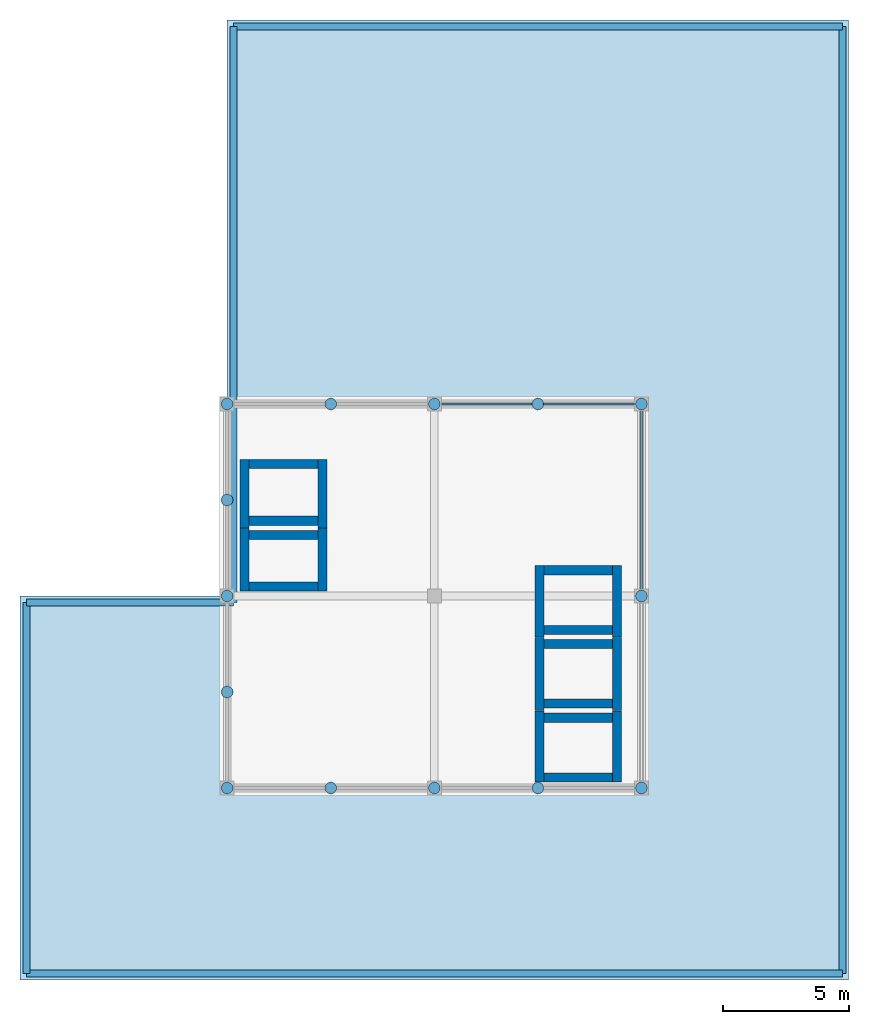
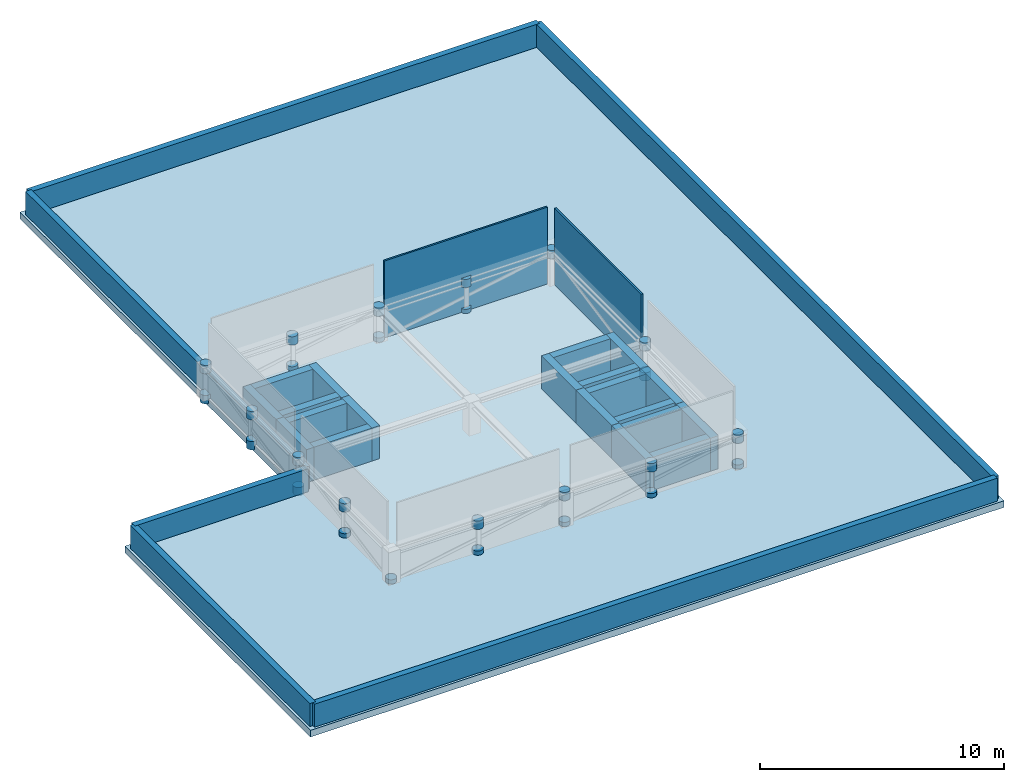
# One storey, part 2 of 2: 28 plates, 26 walls, 1 slab.
"""IFC4 building model written with IfcOpenShell, lengths in metres."""

from ifc_helpers import new_model, si_unit, direction, frame, frame_2d, origin, origin_2d, place, context, subcontext, project, spatial, polyline, rectangle, circle, outline, extrude, material, layer, layer_set, type_object, element, save


model = new_model("IFC4")

# Units and contexts
model_context = context("Model", 3, precision=1e-05, world=origin(), true_north=direction((0.0, 1.0)))
body_context = subcontext(model_context, "Body", "Model", "MODEL_VIEW")
ifc_project = project(units=[si_unit("LENGTHUNIT", "METRE"), si_unit("AREAUNIT", "SQUARE_METRE"), si_unit("VOLUMEUNIT", "CUBIC_METRE"), si_unit("PLANEANGLEUNIT", "RADIAN"), si_unit("MASSUNIT", "GRAM", prefix="KILO")], contexts=[model_context])

# Site, building, storey
site_placement = place(None, origin())
site = spatial("IfcSite", under=ifc_project, at=site_placement, CompositionType="ELEMENT")
building_placement = place(site_placement, origin())
building = spatial("IfcBuilding", under=site, at=building_placement, Name="Qandaris Square Conservatory and Botanical Centre", CompositionType="ELEMENT")
storey_placement = place(building_placement, frame((0.0, 0.0, 74.199951171875)))
storey = spatial("IfcBuildingStorey", under=building, at=storey_placement, Name="RF", CompositionType="ELEMENT", Elevation=74.199951171875)

# Plates
ifc_material_1 = material(Name="Anodised Aluminium", Category="aluminium")
ifc_layer_1 = layer(ifc_material_1, 0.080078125)
ifc_layer_set_1 = layer_set([ifc_layer_1], Name="Anodised Aluminium")
plate_type_1 = type_object("IfcPlateType", Name="Acoustic Plant Louvre Screen Panel", PredefinedType="USERDEFINED", material=ifc_layer_set_1)
plate_1_placement = place(storey_placement, frame((151.5, 39.39990234375, 0.0), z_axis=(0.0, 0.0, 1.0), x_axis=(1.0, 0.0, 0.0)))
element("IfcPlate", 1, at=plate_1_placement, inside=storey, type_object=plate_type_1, Name="Crown Louvre Enclosure CRN-LVR-N2", ObjectType="PLANT LOUVRE", PredefinedType="USERDEFINED", context=body_context, shape_type="SweptSolid", body=[
    extrude(rectangle(XDim=7.699951171875, YDim=0.080078125, at=origin_2d()), origin(), (0.0, 0.0, 1.0), 3.840087890625),
])
plate_2_placement = place(storey_placement, frame((155.60009765625, 35.60009765625, 0.0), z_axis=(0.0, 0.0, 1.0), x_axis=(0.0, 1.0, 0.0)))
element("IfcPlate", 2, at=plate_2_placement, inside=storey, type_object=plate_type_1, Name="Crown Louvre Enclosure CRN-LVR-E2", ObjectType="PLANT LOUVRE", PredefinedType="USERDEFINED", context=body_context, shape_type="SweptSolid", body=[
    extrude(rectangle(XDim=7.10009765625, YDim=0.080078125, at=origin_2d()), origin(), (0.0, 0.0, 1.0), 3.840087890625),
])
ifc_material_2 = material(Name="Steel S355", Category="steel")
ifc_layer_2 = layer(ifc_material_2, 0.419921875)
ifc_layer_set_2 = layer_set([ifc_layer_2], Name="Steel S355")
plate_type_2 = type_object("IfcPlateType", Name="Gridshell Crown Connector Drum KN3", PredefinedType="USERDEFINED", material=ifc_layer_set_2)
for number, where, z_axis, x_axis, name in (
    (3, (143.300048828125, 24.199951171875, -0.2099609375), (0.0, 0.0, 1.0), (1.0, 0.0, 0.0), "Crown Strut Cap 1.1"),
    (4, (143.300048828125, 24.199951171875, 1.2900390625), (0.0, 0.0, 1.0), (1.0, 0.0, 0.0), "Crown Strut Cap 1.1"),
    (5, (143.300048828125, 39.39990234375, -0.2099609375), (0.0, 0.0, 1.0), (1.0, 0.0, 0.0), "Crown Strut Cap 1.2"),
    (6, (143.300048828125, 39.39990234375, 1.2900390625), (0.0, 0.0, 1.0), (1.0, 0.0, 0.0), "Crown Strut Cap 1.2"),
    (7, (151.5, 24.199951171875, -0.2099609375), (0.0, 0.0, 1.0), (1.0, 0.0, 0.0), "Crown Strut Cap 2.1"),
    (8, (151.5, 24.199951171875, 1.2900390625), (0.0, 0.0, 1.0), (1.0, 0.0, 0.0), "Crown Strut Cap 2.1"),
    (9, (151.5, 39.39990234375, -0.2099609375), (0.0, 0.0, 1.0), (1.0, 0.0, 0.0), "Crown Strut Cap 2.2"),
    (10, (151.5, 39.39990234375, 1.2900390625), (0.0, 0.0, 1.0), (1.0, 0.0, 0.0), "Crown Strut Cap 2.2"),
    (11, (139.199951171875, 28.0, -0.2099609375), (0.0, 0.0, 1.0), (1.0, 0.0, 0.0), "Crown West Strut Cap 1"),
    (12, (139.199951171875, 28.0, 1.2900390625), (0.0, 0.0, 1.0), (1.0, 0.0, 0.0), "Crown West Strut Cap 1"),
    (13, (139.199951171875, 35.60009765625, -0.2099609375), (0.0, 0.0, 1.0), (1.0, 0.0, 0.0), "Crown West Strut Cap 2"),
    (14, (139.199951171875, 35.60009765625, 1.2900390625), (0.0, 0.0, 1.0), (1.0, 0.0, 0.0), "Crown West Strut Cap 2"),
    (15, (139.199951171875, 24.199951171875, -0.2099609375), (0.0, 0.0, 1.0), (1.0, 0.0, 0.0), "Crown Node CRN-KN-1392-242-742"),
    (16, (147.39990234375, 24.199951171875, 1.2900390625), (0.0, 0.0, 1.0), (1.0, 0.0, 0.0), "Crown Node CRN-KN-1474-242-757"),
    (17, (139.199951171875, 39.39990234375, -0.2099609375), (0.0, 0.0, 1.0), (1.0, 0.0, 0.0), "Crown Node CRN-KN-1392-394-742"),
    (18, (147.39990234375, 39.39990234375, 1.2900390625), (0.0, 0.0, 1.0), (1.0, 0.0, 0.0), "Crown Node CRN-KN-1474-394-757"),
    (19, (147.39990234375, 24.199951171875, -0.2099609375), (0.0, 0.0, 1.0), (1.0, 0.0, 0.0), "Crown Node CRN-KN-1474-242-742"),
    (20, (155.60009765625, 24.199951171875, 1.2900390625), (0.0, 0.0, 1.0), (1.0, 0.0, 0.0), "Crown Node CRN-KN-1556-242-757"),
    (21, (147.39990234375, 39.39990234375, -0.2099609375), (0.0, 0.0, 1.0), (1.0, 0.0, 0.0), "Crown Node CRN-KN-1474-394-742"),
    (22, (155.60009765625, 39.39990234375, 1.2900390625), (0.0, 0.0, 1.0), (1.0, 0.0, 0.0), "Crown Node CRN-KN-1556-394-757"),
    (23, (139.199951171875, 31.800048828125, 1.2900390625), (0.0, 0.0, 1.0), (1.0, 0.0, 0.0), "Crown Node CRN-KN-1392-318-757"),
    (24, (139.199951171875, 31.800048828125, -0.2099609375), (0.0, 0.0, 1.0), (1.0, 0.0, 0.0), "Crown Node CRN-KN-1392-318-742"),
    (25, (139.199951171875, 39.39990234375, 1.2900390625), (0.0, 0.0, 1.0), (1.0, 0.0, 0.0), "Crown Node CRN-KN-1392-394-757"),
    (26, (155.60009765625, 24.199951171875, -0.2099609375), (0.0, 0.0, 1.0), (1.0, 0.0, 0.0), "Crown Node CRN-KN-1556-242-742"),
    (27, (155.60009765625, 31.800048828125, 1.2900390625), (0.0, 0.0, 1.0), (1.0, 0.0, 0.0), "Crown Node CRN-KN-1556-318-757"),
    (28, (155.60009765625, 31.800048828125, -0.2099609375), (0.0, 0.0, 1.0), (1.0, 0.0, 0.0), "Crown Node CRN-KN-1556-318-742"),
):
    element("IfcPlate", number, at=place(storey_placement, frame(where, z_axis=z_axis, x_axis=x_axis)), inside=storey, type_object=plate_type_2, Name=name, ObjectType="CONNECTOR PLATE", PredefinedType="USERDEFINED", context=body_context, shape_type="SweptSolid", body=[
        extrude(circle(Radius=0.22998046875, at=origin_2d()), origin(), (0.0, 0.0, 1.0), 0.419921875),
    ])

# Slab
ifc_material_3 = material(Name="Concrete C40/50", Category="concrete")
ifc_layer_3 = layer(ifc_material_3, 0.330078125)
ifc_layer_set_3 = layer_set([ifc_layer_3], Name="Concrete C40/50")
slab_type = type_object("IfcSlabType", Name="RC Flat Roof Slab 330mm", PredefinedType="ROOF", material=ifc_layer_set_3)
slab_placement = place(storey_placement, frame((0.0, 0.0, -0.329833984375)))
element("IfcSlab", 29, at=slab_placement, inside=storey, type_object=slab_type, Name="Tower Main Roof Slab RF", PredefinedType="ROOF", context=body_context, shape_type="SweptSolid", body=[
    extrude(outline(polyline([(131.0, 16.60009765625), (163.800048828125, 16.60009765625), (163.800048828125, 54.60009765625), (139.199951171875, 54.60009765625), (139.199951171875, 31.800048828125), (131.0, 31.800048828125), (131.0, 16.60009765625)])), origin(), (0.0, 0.0, 1.0), 0.329833984375),
])

# Walls
ifc_material_4 = material(Name="Precast concrete C40/50", Category="concrete")
ifc_layer_4 = layer(ifc_material_4, 0.360107421875)
ifc_layer_set_4 = layer_set([ifc_layer_4], Name="Precast concrete C40/50")
wall_type_1 = type_object("IfcWallType", Name="Architectural Precast Cladding Wall 360mm", PredefinedType="SOLIDWALL", material=ifc_layer_set_4)
for number, where, z_axis, x_axis, name in (
    (30, (140.06005859375, 32.179931640625, 0.0), (0.0, 0.0, 1.0), (1.0, 0.0, 0.0), "Lift FFL1 Shaft Wall South (RF)"),
    (31, (140.06005859375, 34.219970703125, 0.0), (0.0, 0.0, 1.0), (1.0, 0.0, 0.0), "Lift FFL1 Shaft Wall North (RF)"),
):
    element("IfcWall", number, at=place(storey_placement, frame(where, z_axis=z_axis, x_axis=x_axis)), inside=storey, type_object=wall_type_1, Name=name, PredefinedType="SOLIDWALL", context=body_context, shape_type="SweptSolid", body=[
        extrude(rectangle(XDim=2.739990234375, YDim=0.360107421875, at=frame_2d((1.3701171875, 0.0))), origin(), (0.0, 0.0, 1.0), 1.650146484375),
    ])
for number, where, z_axis, x_axis, name in (
    (32, (139.8798828125, 32.0, 0.0), (0.0, 0.0, 1.0), (0.0, 1.0, 0.0), "Lift FFL1 Shaft Wall West (RF)"),
    (33, (142.97998046875, 32.0, 0.0), (0.0, 0.0, 1.0), (0.0, 1.0, 0.0), "Lift FFL1 Shaft Wall East (RF)"),
):
    element("IfcWall", number, at=place(storey_placement, frame(where, z_axis=z_axis, x_axis=x_axis)), inside=storey, type_object=wall_type_1, Name=name, PredefinedType="SOLIDWALL", context=body_context, shape_type="SweptSolid", body=[
        extrude(rectangle(XDim=2.5, YDim=0.360107421875, at=frame_2d((1.25, 0.0))), origin(), (0.0, 0.0, 1.0), 1.650146484375),
    ])
for number, where, z_axis, x_axis, name in (
    (34, (140.06005859375, 34.780029296875, 0.0), (0.0, 0.0, 1.0), (1.0, 0.0, 0.0), "Lift FFL2 Shaft Wall South (RF)"),
    (35, (140.06005859375, 37.02001953125, 0.0), (0.0, 0.0, 1.0), (1.0, 0.0, 0.0), "Lift FFL2 Shaft Wall North (RF)"),
):
    element("IfcWall", number, at=place(storey_placement, frame(where, z_axis=z_axis, x_axis=x_axis)), inside=storey, type_object=wall_type_1, Name=name, PredefinedType="SOLIDWALL", context=body_context, shape_type="SweptSolid", body=[
        extrude(rectangle(XDim=2.739990234375, YDim=0.360107421875, at=frame_2d((1.3701171875, 0.0))), origin(), (0.0, 0.0, 1.0), 1.650146484375),
    ])
for number, where, z_axis, x_axis, name in (
    (36, (139.8798828125, 34.5, 0.0), (0.0, 0.0, 1.0), (0.0, 1.0, 0.0), "Lift FFL2 Shaft Wall West (RF)"),
    (37, (142.97998046875, 34.5, 0.0), (0.0, 0.0, 1.0), (0.0, 1.0, 0.0), "Lift FFL2 Shaft Wall East (RF)"),
    (38, (151.75, 24.6201171875, 0.0), (0.0, 0.0, 1.0), (1.0, 0.0, 0.0), "Lift PL1 Shaft Wall South (RF)"),
    (39, (151.75, 26.97998046875, 0.0), (0.0, 0.0, 1.0), (1.0, 0.0, 0.0), "Lift PL1 Shaft Wall North (RF)"),
):
    element("IfcWall", number, at=place(storey_placement, frame(where, z_axis=z_axis, x_axis=x_axis)), inside=storey, type_object=wall_type_1, Name=name, PredefinedType="SOLIDWALL", context=body_context, shape_type="SweptSolid", body=[
        extrude(rectangle(XDim=2.699951171875, YDim=0.360107421875, at=frame_2d((1.35009765625, 0.0))), origin(), (0.0, 0.0, 1.0), 1.650146484375),
    ])
for number, where, z_axis, x_axis, name in (
    (40, (151.570068359375, 24.43994140625, 0.0), (0.0, 0.0, 1.0), (0.0, 1.0, 0.0), "Lift PL1 Shaft Wall West (RF)"),
    (41, (154.6298828125, 24.43994140625, 0.0), (0.0, 0.0, 1.0), (0.0, 1.0, 0.0), "Lift PL1 Shaft Wall East (RF)"),
):
    element("IfcWall", number, at=place(storey_placement, frame(where, z_axis=z_axis, x_axis=x_axis)), inside=storey, type_object=wall_type_1, Name=name, PredefinedType="SOLIDWALL", context=body_context, shape_type="SweptSolid", body=[
        extrude(rectangle(XDim=2.81005859375, YDim=0.360107421875, at=frame_2d((1.405029296875, 0.0))), origin(), (0.0, 0.0, 1.0), 1.650146484375),
    ])
for number, where, z_axis, x_axis, name in (
    (42, (151.75, 27.5400390625, 0.0), (0.0, 0.0, 1.0), (1.0, 0.0, 0.0), "Lift PL2 Shaft Wall South (RF)"),
    (43, (151.75, 29.89990234375, 0.0), (0.0, 0.0, 1.0), (1.0, 0.0, 0.0), "Lift PL2 Shaft Wall North (RF)"),
):
    element("IfcWall", number, at=place(storey_placement, frame(where, z_axis=z_axis, x_axis=x_axis)), inside=storey, type_object=wall_type_1, Name=name, PredefinedType="SOLIDWALL", context=body_context, shape_type="SweptSolid", body=[
        extrude(rectangle(XDim=2.699951171875, YDim=0.360107421875, at=frame_2d((1.35009765625, 0.0))), origin(), (0.0, 0.0, 1.0), 1.650146484375),
    ])
for number, where, z_axis, x_axis, name in (
    (44, (151.570068359375, 27.260009765625, 0.0), (0.0, 0.0, 1.0), (0.0, 1.0, 0.0), "Lift PL2 Shaft Wall West (RF)"),
    (45, (154.6298828125, 27.260009765625, 0.0), (0.0, 0.0, 1.0), (0.0, 1.0, 0.0), "Lift PL2 Shaft Wall East (RF)"),
):
    element("IfcWall", number, at=place(storey_placement, frame(where, z_axis=z_axis, x_axis=x_axis)), inside=storey, type_object=wall_type_1, Name=name, PredefinedType="SOLIDWALL", context=body_context, shape_type="SweptSolid", body=[
        extrude(rectangle(XDim=2.89990234375, YDim=0.360107421875, at=frame_2d((1.449951171875, 0.0))), origin(), (0.0, 0.0, 1.0), 1.650146484375),
    ])
for number, where, z_axis, x_axis, name in (
    (46, (151.75, 30.4599609375, 0.0), (0.0, 0.0, 1.0), (1.0, 0.0, 0.0), "Lift PL3 Shaft Wall South (RF)"),
    (47, (151.75, 32.820068359375, 0.0), (0.0, 0.0, 1.0), (1.0, 0.0, 0.0), "Lift PL3 Shaft Wall North (RF)"),
):
    element("IfcWall", number, at=place(storey_placement, frame(where, z_axis=z_axis, x_axis=x_axis)), inside=storey, type_object=wall_type_1, Name=name, PredefinedType="SOLIDWALL", context=body_context, shape_type="SweptSolid", body=[
        extrude(rectangle(XDim=2.699951171875, YDim=0.360107421875, at=frame_2d((1.35009765625, 0.0))), origin(), (0.0, 0.0, 1.0), 1.650146484375),
    ])
for number, where, z_axis, x_axis, name in (
    (48, (151.570068359375, 30.169921875, 0.0), (0.0, 0.0, 1.0), (0.0, 1.0, 0.0), "Lift PL3 Shaft Wall West (RF)"),
    (49, (154.6298828125, 30.169921875, 0.0), (0.0, 0.0, 1.0), (0.0, 1.0, 0.0), "Lift PL3 Shaft Wall East (RF)"),
):
    element("IfcWall", number, at=place(storey_placement, frame(where, z_axis=z_axis, x_axis=x_axis)), inside=storey, type_object=wall_type_1, Name=name, PredefinedType="SOLIDWALL", context=body_context, shape_type="SweptSolid", body=[
        extrude(rectangle(XDim=2.830078125, YDim=0.360107421875, at=frame_2d((1.4150390625, 0.0))), origin(), (0.0, 0.0, 1.0), 1.650146484375),
    ])
ifc_layer_5 = layer(ifc_material_4, 0.280029296875)
ifc_layer_set_5 = layer_set([ifc_layer_5], Name="Precast concrete C40/50")
wall_type_2 = type_object("IfcWallType", Name="Roof Parapet Upstand Wall 280mm", PredefinedType="PARAPET", material=ifc_layer_set_5)
wall_1_placement = place(storey_placement, frame((131.25, 16.85009765625, 0.0), z_axis=(0.0, 0.0, 1.0), x_axis=(1.0, 0.0, 0.0)))
element("IfcWall", 50, at=wall_1_placement, inside=storey, type_object=wall_type_2, Name="Tower Roof Parapet 1", PredefinedType="PARAPET", context=body_context, shape_type="SweptSolid", body=[
    extrude(rectangle(XDim=32.300048828125, YDim=0.280029296875, at=frame_2d((16.14990234375, 0.0))), origin(), (0.0, 0.0, 1.0), 1.150146484375),
])
wall_2_placement = place(storey_placement, frame((163.550048828125, 16.85009765625, 0.0), z_axis=(0.0, 0.0, 1.0), x_axis=(0.0, 1.0, 0.0)))
element("IfcWall", 51, at=wall_2_placement, inside=storey, type_object=wall_type_2, Name="Tower Roof Parapet 2", PredefinedType="PARAPET", context=body_context, shape_type="SweptSolid", body=[
    extrude(rectangle(XDim=37.5, YDim=0.280029296875, at=frame_2d((18.75, 0.0))), origin(), (0.0, 0.0, 1.0), 1.150146484375),
])
wall_3_placement = place(storey_placement, frame((163.550048828125, 54.35009765625, 0.0), z_axis=(0.0, 0.0, 1.0), x_axis=(-1.0, 0.0, 0.0)))
element("IfcWall", 52, at=wall_3_placement, inside=storey, type_object=wall_type_2, Name="Tower Roof Parapet 3", PredefinedType="PARAPET", context=body_context, shape_type="SweptSolid", body=[
    extrude(rectangle(XDim=24.10009765625, YDim=0.280029296875, at=frame_2d((12.050048828125, 0.0))), origin(), (0.0, 0.0, 1.0), 1.150146484375),
])
wall_4_placement = place(storey_placement, frame((139.449951171875, 54.35009765625, 0.0), z_axis=(0.0, 0.0, 1.0), x_axis=(0.0, -1.0, 0.0)))
element("IfcWall", 53, at=wall_4_placement, inside=storey, type_object=wall_type_2, Name="Tower Roof Parapet 4", PredefinedType="PARAPET", context=body_context, shape_type="SweptSolid", body=[
    extrude(rectangle(XDim=22.800048828125, YDim=0.280029296875, at=frame_2d((11.39990234375, 0.0))), origin(), (0.0, 0.0, 1.0), 1.150146484375),
])
wall_5_placement = place(storey_placement, frame((139.449951171875, 31.550048828125, 0.0), z_axis=(0.0, 0.0, 1.0), x_axis=(-1.0, 0.0, 0.0)))
element("IfcWall", 54, at=wall_5_placement, inside=storey, type_object=wall_type_2, Name="Tower Roof Parapet 5", PredefinedType="PARAPET", context=body_context, shape_type="SweptSolid", body=[
    extrude(rectangle(XDim=8.199951171875, YDim=0.280029296875, at=frame_2d((4.10009765625, 0.0))), origin(), (0.0, 0.0, 1.0), 1.150146484375),
])
wall_6_placement = place(storey_placement, frame((131.25, 31.550048828125, 0.0), z_axis=(0.0, 0.0, 1.0), x_axis=(0.0, -1.0, 0.0)))
element("IfcWall", 55, at=wall_6_placement, inside=storey, type_object=wall_type_2, Name="Tower Roof Parapet 6", PredefinedType="PARAPET", context=body_context, shape_type="SweptSolid", body=[
    extrude(rectangle(XDim=14.699951171875, YDim=0.280029296875, at=frame_2d((7.35009765625, 0.0))), origin(), (0.0, 0.0, 1.0), 1.150146484375),
])

save(model, "model.ifc")
